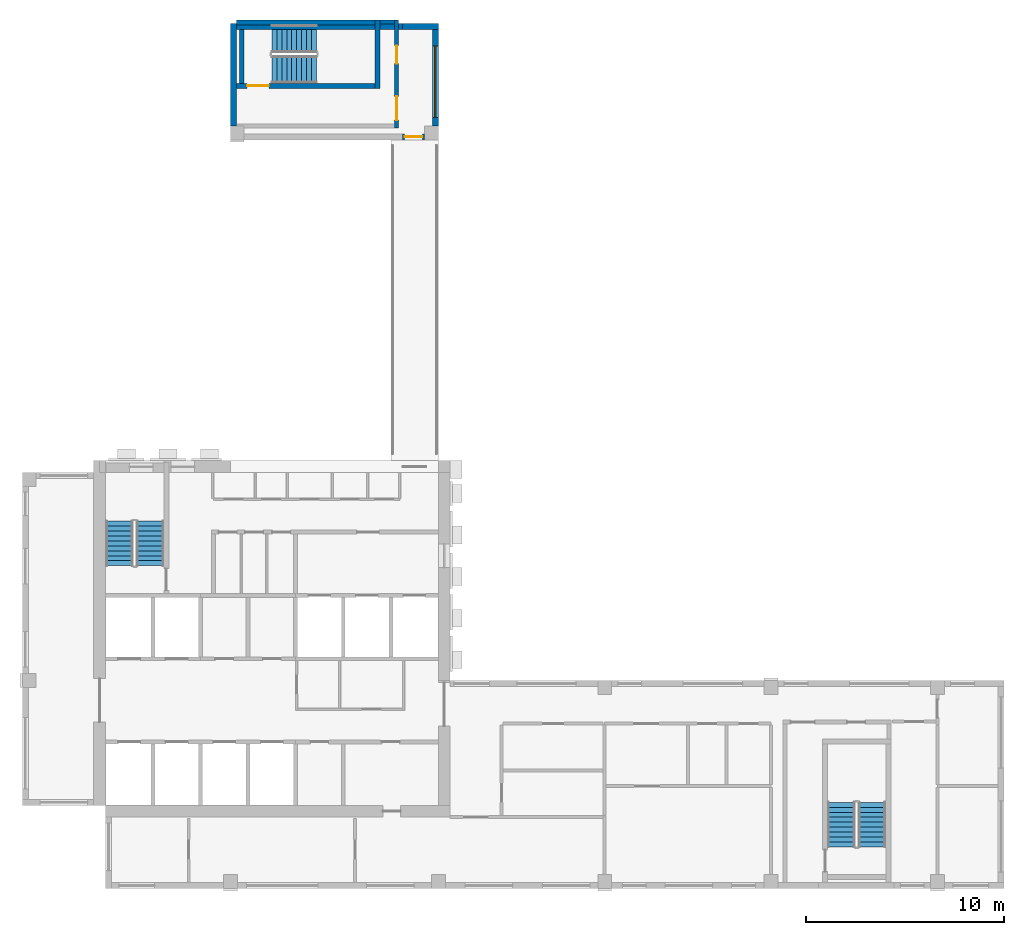
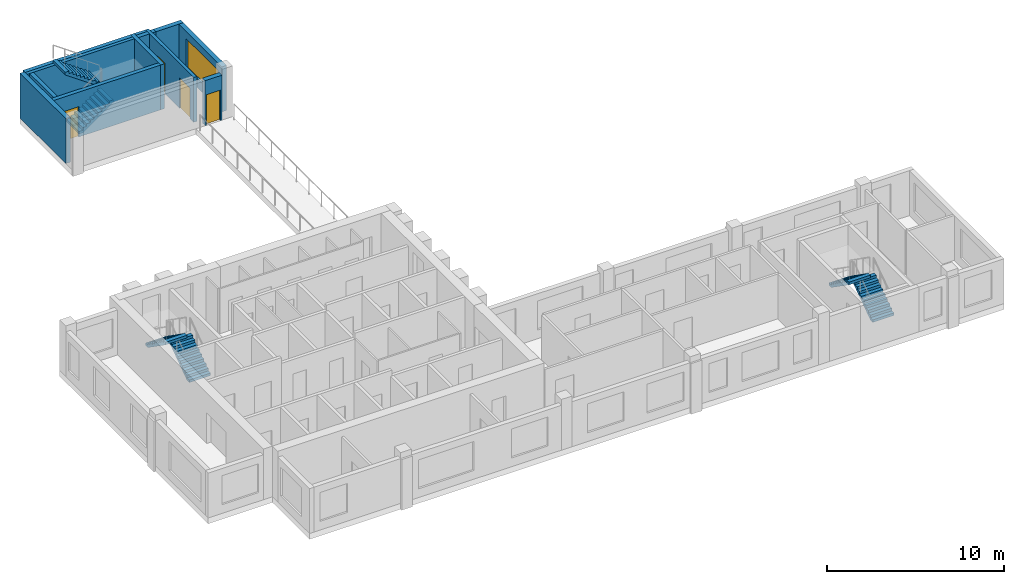
# One storey, part 5 of 9: 11 walls, 6 stair flights, 4 doors, 1 window, 5 openings, 3 elements without a shape of their own.
"""IFC4 building model written with IfcOpenShell, lengths in metres."""

from ifc_helpers import new_model, si_unit, direction, frame, frame_2d, origin, place, context, subcontext, project, spatial, polyline, rectangle, outline, extrude, source, transform, mapped, material, layer, layer_set, type_object, element, fill, aggregate, save


model = new_model("IFC4")

# Units and contexts
model_context = context("Model", 3, precision=1e-05, world=origin(), true_north=direction((0.0, 1.0)))
body_context = subcontext(model_context, "Body", "Model", "MODEL_VIEW")
ifc_project = project(units=[si_unit("LENGTHUNIT", "METRE"), si_unit("AREAUNIT", "SQUARE_METRE"), si_unit("VOLUMEUNIT", "CUBIC_METRE"), si_unit("PLANEANGLEUNIT", "RADIAN"), si_unit("MASSUNIT", "GRAM", prefix="KILO")], contexts=[model_context])

# Site, building, storey
site_placement = place(None, origin())
site = spatial("IfcSite", under=ifc_project, at=site_placement, CompositionType="ELEMENT")
building_placement = place(site_placement, origin())
building = spatial("IfcBuilding", under=site, at=building_placement, Name="Aurelian Terraces", CompositionType="ELEMENT")
storey_placement = place(building_placement, frame((0.0, 0.0, 316.0)))
storey = spatial("IfcBuildingStorey", under=building, at=storey_placement, Name="L73", CompositionType="ELEMENT", Elevation=316.0)

# Walls
ifc_material_1 = material(Name="Terracotta rainscreen cladding", Category="masonry")
ifc_layer_1 = layer(ifc_material_1, 0.3)
ifc_layer_set_1 = layer_set([ifc_layer_1], Name="EW-300")
wall_type_1 = type_object("IfcWallType", Name="EW-300", PredefinedType="STANDARD", material=ifc_layer_set_1)
shared_shape_1 = source(origin(), body_context, "Body", "SweptSolid", [
    extrude(rectangle(XDim=1.8, YDim=0.3, at=frame_2d((0.9, 0.0))), origin(), (0.0, 0.0, 1.0), 3.1),
])
wall_1_placement = place(storey_placement, frame((21.0, 43.53, 0.0), z_axis=(0.0, 0.0, 1.0), x_axis=(-1.0, 0.0, 0.0)))
element("IfcWall", 1, at=wall_1_placement, inside=storey, type_object=wall_type_1, Name="External wall L73 F17.23", PredefinedType="STANDARD", context=body_context, shape_type="MappedRepresentation", body=[
    mapped(shared_shape_1, transform((0.0, 0.0, 0.0), scale=1.0)),
])
ifc_material_2 = material(Name="Concrete fc' 40 MPa", Category="concrete")
ifc_layer_2 = layer(ifc_material_2, 0.3)
ifc_layer_set_2 = layer_set([ifc_layer_2], Name="STAIR BAY WALL 300")
wall_type_2 = type_object("IfcWallType", Name="STAIR BAY WALL 300", PredefinedType="SOLIDWALL", material=ifc_layer_set_2)
shared_shape_2 = source(origin(), body_context, "Body", "SweptSolid", [
    extrude(rectangle(XDim=8.6, YDim=0.3, at=frame_2d((4.3, 0.0))), origin(), (0.0, 0.0, 1.0), 3.1),
])
wall_2_placement = place(storey_placement, frame((19.2, 43.53, 0.0), z_axis=(0.0, 0.0, 1.0), x_axis=(-1.0, 0.0, 0.0)))
element("IfcWall", 2, at=wall_2_placement, inside=storey, type_object=wall_type_2, Name="Stair bay wall L73 F17.23", PredefinedType="SOLIDWALL", context=body_context, shape_type="MappedRepresentation", body=[
    mapped(shared_shape_2, transform((0.0, 0.0, 0.0), scale=1.0)),
])

# Wall, opening, window
shared_shape_3 = source(origin(), body_context, "Body", "SweptSolid", [
    extrude(rectangle(XDim=5.18, YDim=0.3, at=frame_2d((2.59, 0.0))), origin(), (0.0, 0.0, 1.0), 3.1),
])
wall_3_placement = place(storey_placement, frame((20.85, 38.5, 0.0), z_axis=(0.0, 0.0, 1.0), x_axis=(0.0, 1.0, 0.0)))
wall_3 = element("IfcWall", 3, at=wall_3_placement, inside=storey, type_object=wall_type_1, Name="External wall L73 F16.22", PredefinedType="STANDARD", context=body_context, shape_type="MappedRepresentation", body=[
    mapped(shared_shape_3, transform((0.0, 0.0, 0.0), scale=1.0)),
])
shared_shape_4 = source(origin(), body_context, "Body", "SweptSolid", [
    extrude(rectangle(XDim=3.6, YDim=2.0, at=frame_2d((1.8, 1.0))), frame((0.0, 0.16, 0.0), z_axis=(0.0, -1.0, 0.0), x_axis=(1.0, 0.0, 0.0)), (0.0, 0.0, 1.0), 0.32),
])
opening_1_placement = place(wall_3_placement, frame((0.44, 0.0, 0.6)))
opening_1 = element("IfcOpeningElement", 4, at=opening_1_placement, cuts=wall_3, Name="Opening W3620", PredefinedType="OPENING", context=body_context, shape_type="MappedRepresentation", body=[
    mapped(shared_shape_4, transform((0.0, 0.0, 0.0), scale=1.0)),
])
ifc_material_3 = material(Name="Clear glazing", Category="glass")
window_type = type_object("IfcWindowType", Name="W-3600x2000", PartitioningType="SINGLE_PANEL", PredefinedType="WINDOW", material=ifc_material_3)
shared_shape_5 = source(origin(), body_context, "Body", "SweptSolid", [
    extrude(rectangle(XDim=3.6, YDim=2.0, at=frame_2d((1.8, 1.0))), frame((0.0, 0.03, 0.0), z_axis=(0.0, -1.0, 0.0), x_axis=(1.0, 0.0, 0.0)), (0.0, 0.0, 1.0), 0.06),
])
window_placement = place(opening_1_placement, origin())
window = element("IfcWindow", 5, at=window_placement, inside=storey, type_object=window_type, Name="Window L73 L73-F16-22-0", OverallHeight=2.0, OverallWidth=3.6, PartitioningType="SINGLE_PANEL", PredefinedType="WINDOW", context=body_context, shape_type="MappedRepresentation", body=[
    mapped(shared_shape_5, transform((0.0, 0.0, 0.0), scale=1.0)),
])
fill(opening_1, window)

# Wall
shared_shape_6 = source(origin(), body_context, "Body", "SweptSolid", [
    extrude(rectangle(XDim=5.18, YDim=0.3, at=frame_2d((2.59, 0.0))), origin(), (0.0, 0.0, 1.0), 3.1),
])
wall_4_placement = place(storey_placement, frame((10.65, 43.68, 0.0), z_axis=(0.0, 0.0, 1.0), x_axis=(0.0, -1.0, 0.0)))
element("IfcWall", 6, at=wall_4_placement, inside=storey, type_object=wall_type_2, Name="Stair bay wall L73 F18.24", PredefinedType="SOLIDWALL", context=body_context, shape_type="MappedRepresentation", body=[
    mapped(shared_shape_6, transform((0.0, 0.0, 0.0), scale=1.0)),
])

# Wall, opening, door
shared_shape_7 = source(origin(), body_context, "Body", "SweptSolid", [
    extrude(rectangle(XDim=1.1, YDim=0.3, at=frame_2d((0.55, 0.0))), origin(), (0.0, 0.0, 1.0), 3.1),
])
wall_5_placement = place(storey_placement, frame((19.2, 37.95, 0.0), z_axis=(0.0, 0.0, 1.0), x_axis=(1.0, 0.0, 0.0)))
wall_5 = element("IfcWall", 7, at=wall_5_placement, inside=storey, type_object=wall_type_1, Name="External wall L73 F15.21", PredefinedType="STANDARD", context=body_context, shape_type="MappedRepresentation", body=[
    mapped(shared_shape_7, transform((0.0, 0.0, 0.0), scale=1.0)),
])
opening_2_placement = place(wall_5_placement, frame((0.1, 0.0, 0.0)))
opening_2 = element("IfcOpeningElement", 8, at=opening_2_placement, cuts=wall_5, Name="Opening 87301", PredefinedType="OPENING", context=body_context, shape_type="SweptSolid", body=[
    extrude(rectangle(XDim=0.9, YDim=2.1, at=frame_2d((0.45, 1.05))), frame((0.0, 0.16, 0.0), z_axis=(0.0, -1.0, 0.0), x_axis=(1.0, 0.0, 0.0)), (0.0, 0.0, 1.0), 0.32),
])
door_type_1 = type_object("IfcDoorType", Name="BD-900x2100", OperationType="SLIDING_TO_LEFT", PredefinedType="DOOR", material=ifc_material_3)
door_1_placement = place(opening_2_placement, origin())
door_1 = element("IfcDoor", 9, at=door_1_placement, inside=storey, type_object=door_type_1, Name="Link bridge door L73 BLADE-W", OperationType="SLIDING_TO_LEFT", OverallHeight=2.1, OverallWidth=0.9, PredefinedType="DOOR", context=body_context, shape_type="SweptSolid", body=[
    extrude(rectangle(XDim=0.9, YDim=2.1, at=frame_2d((0.45, 1.05))), frame((0.0, 0.025, 0.0), z_axis=(0.0, -1.0, 0.0), x_axis=(1.0, 0.0, 0.0)), (0.0, 0.0, 1.0), 0.05),
])
fill(opening_2, door_1)

ifc_layer_3 = layer(ifc_material_2, 0.25)
ifc_layer_set_3 = layer_set([ifc_layer_3], Name="Stair enclosure wall 250")
wall_type_3 = type_object("IfcWallType", Name="Stair enclosure wall 250", PredefinedType="SOLIDWALL", material=ifc_layer_set_3)
shared_shape_8 = source(origin(), body_context, "Body", "SweptSolid", [
    extrude(rectangle(XDim=7.0, YDim=0.25, at=frame_2d((3.5, 0.0))), origin(), (0.0, 0.0, 1.0), 3.1),
])
wall_6_placement = place(storey_placement, frame((10.8, 40.525, 0.0), z_axis=(0.0, 0.0, 1.0), x_axis=(1.0, 0.0, 0.0)))
wall_6 = element("IfcWall", 10, at=wall_6_placement, inside=storey, type_object=wall_type_3, Name="L73 core wall ST-S3U-W", PredefinedType="SOLIDWALL", context=body_context, shape_type="MappedRepresentation", body=[
    mapped(shared_shape_8, transform((0.0, 0.0, 0.0), scale=1.0)),
])
shared_shape_9 = source(origin(), body_context, "Body", "SweptSolid", [
    extrude(rectangle(XDim=1.1, YDim=2.1, at=frame_2d((0.55, 1.05))), frame((0.0, 0.135, 0.0), z_axis=(0.0, -1.0, 0.0), x_axis=(1.0, 0.0, 0.0)), (0.0, 0.0, 1.0), 0.27),
])
opening_3_placement = place(wall_6_placement, frame((0.55, 0.0, 0.0)))
opening_3 = element("IfcOpeningElement", 11, at=opening_3_placement, cuts=wall_6, Name="Opening 67628", PredefinedType="OPENING", context=body_context, shape_type="MappedRepresentation", body=[
    mapped(shared_shape_9, transform((0.0, 0.0, 0.0), scale=1.0)),
])
ifc_material_4 = material(Name="Steel door leaf", Category="steel")
door_type_2 = type_object("IfcDoorType", Name="Core fire door 1100x2100", OperationType="SINGLE_SWING_LEFT", PredefinedType="DOOR", material=ifc_material_4)
shared_shape_10 = source(origin(), body_context, "Body", "SweptSolid", [
    extrude(rectangle(XDim=1.1, YDim=2.1, at=frame_2d((0.55, 1.05))), frame((0.0, 0.025, 0.0), z_axis=(0.0, -1.0, 0.0), x_axis=(1.0, 0.0, 0.0)), (0.0, 0.0, 1.0), 0.05),
])
door_2_placement = place(opening_3_placement, origin())
door_2 = element("IfcDoor", 12, at=door_2_placement, inside=storey, type_object=door_type_2, Name="Stair door 67628", OperationType="SINGLE_SWING_LEFT", OverallHeight=2.1, OverallWidth=1.1, PredefinedType="DOOR", context=body_context, shape_type="MappedRepresentation", body=[
    mapped(shared_shape_10, transform((0.0, 0.0, 0.0), scale=1.0)),
])
fill(opening_3, door_2)

# Walls
wall_7_placement = place(storey_placement, frame((10.8, 43.725, 0.0), z_axis=(0.0, 0.0, 1.0), x_axis=(1.0, 0.0, 0.0)))
element("IfcWall", 13, at=wall_7_placement, inside=storey, type_object=wall_type_3, Name="L73 core wall ST-S3U-E", PredefinedType="SOLIDWALL", context=body_context, shape_type="MappedRepresentation", body=[
    mapped(shared_shape_8, transform((0.0, 0.0, 0.0), scale=1.0)),
])
shared_shape_11 = source(origin(), body_context, "Body", "SweptSolid", [
    extrude(rectangle(XDim=3.45, YDim=0.25, at=frame_2d((1.725, 0.0))), origin(), (0.0, 0.0, 1.0), 3.1),
])
wall_8_placement = place(storey_placement, frame((17.925, 40.4, 0.0), z_axis=(0.0, 0.0, 1.0), x_axis=(0.0, 1.0, 0.0)))
element("IfcWall", 14, at=wall_8_placement, inside=storey, type_object=wall_type_3, Name="L73 core wall ST-S3U-N", PredefinedType="SOLIDWALL", context=body_context, shape_type="MappedRepresentation", body=[
    mapped(shared_shape_11, transform((0.0, 0.0, 0.0), scale=1.0)),
])

# Wall, openings, doors
ifc_material_5 = material(Name="Gypsum board on steel studs", Category="steel")
ifc_layer_4 = layer(ifc_material_5, 0.2)
ifc_layer_set_4 = layer_set([ifc_layer_4], Name="Core partition 200")
wall_type_4 = type_object("IfcWallType", Name="Core partition 200", PredefinedType="PARTITIONING", material=ifc_layer_set_4)
shared_shape_12 = source(origin(), body_context, "Body", "SweptSolid", [
    extrude(rectangle(XDim=5.45, YDim=0.2, at=frame_2d((2.725, 0.0))), origin(), (0.0, 0.0, 1.0), 3.1),
])
wall_9_placement = place(storey_placement, frame((18.9, 38.4, 0.0), z_axis=(0.0, 0.0, 1.0), x_axis=(0.0, 1.0, 0.0)))
wall_9 = element("IfcWall", 15, at=wall_9_placement, inside=storey, type_object=wall_type_4, Name="L73 core wall ST-S3U-BN", PredefinedType="PARTITIONING", context=body_context, shape_type="MappedRepresentation", body=[
    mapped(shared_shape_12, transform((0.0, 0.0, 0.0), scale=1.0)),
])
shared_shape_13 = source(origin(), body_context, "Body", "SweptSolid", [
    extrude(rectangle(XDim=1.2, YDim=2.1, at=frame_2d((0.6, 1.05))), frame((0.0, 0.11, 0.0), z_axis=(0.0, -1.0, 0.0), x_axis=(1.0, 0.0, 0.0)), (0.0, 0.0, 1.0), 0.22),
])
opening_4_placement = place(wall_9_placement, frame((0.4, 0.0, 0.0)))
opening_4 = element("IfcOpeningElement", 16, at=opening_4_placement, cuts=wall_9, Name="Opening 67629", PredefinedType="OPENING", context=body_context, shape_type="MappedRepresentation", body=[
    mapped(shared_shape_13, transform((0.0, 0.0, 0.0), scale=1.0)),
])
shared_shape_14 = source(origin(), body_context, "Body", "SweptSolid", [
    extrude(rectangle(XDim=0.9, YDim=2.1, at=frame_2d((0.45, 1.05))), frame((0.0, 0.11, 0.0), z_axis=(0.0, -1.0, 0.0), x_axis=(1.0, 0.0, 0.0)), (0.0, 0.0, 1.0), 0.22),
])
opening_5_placement = place(wall_9_placement, frame((3.25, 0.0, 0.0)))
opening_5 = element("IfcOpeningElement", 17, at=opening_5_placement, cuts=wall_9, Name="Opening 67630", PredefinedType="OPENING", context=body_context, shape_type="MappedRepresentation", body=[
    mapped(shared_shape_14, transform((0.0, 0.0, 0.0), scale=1.0)),
])
door_type_3 = type_object("IfcDoorType", Name="Core riser door 900x2100", OperationType="SINGLE_SWING_LEFT", PredefinedType="DOOR", material=ifc_material_4)
shared_shape_15 = source(origin(), body_context, "Body", "SweptSolid", [
    extrude(rectangle(XDim=0.9, YDim=2.1, at=frame_2d((0.45, 1.05))), frame((0.0, 0.025, 0.0), z_axis=(0.0, -1.0, 0.0), x_axis=(1.0, 0.0, 0.0)), (0.0, 0.0, 1.0), 0.05),
])
door_3_placement = place(opening_5_placement, origin())
door_3 = element("IfcDoor", 18, at=door_3_placement, inside=storey, type_object=door_type_3, Name="Riser door 67630", OperationType="SINGLE_SWING_LEFT", OverallHeight=2.1, OverallWidth=0.9, PredefinedType="DOOR", context=body_context, shape_type="MappedRepresentation", body=[
    mapped(shared_shape_15, transform((0.0, 0.0, 0.0), scale=1.0)),
])
fill(opening_5, door_3)
door_type_4 = type_object("IfcDoorType", Name="Core fire door 1200x2100 right", OperationType="SINGLE_SWING_RIGHT", PredefinedType="DOOR", material=ifc_material_4)
shared_shape_16 = source(origin(), body_context, "Body", "SweptSolid", [
    extrude(rectangle(XDim=1.2, YDim=2.1, at=frame_2d((0.6, 1.05))), frame((0.0, 0.025, 0.0), z_axis=(0.0, -1.0, 0.0), x_axis=(1.0, 0.0, 0.0)), (0.0, 0.0, 1.0), 0.05),
])
door_4_placement = place(opening_4_placement, origin())
door_4 = element("IfcDoor", 19, at=door_4_placement, inside=storey, type_object=door_type_4, Name="Vestibule door 67629", OperationType="SINGLE_SWING_RIGHT", OverallHeight=2.1, OverallWidth=1.2, PredefinedType="DOOR", context=body_context, shape_type="MappedRepresentation", body=[
    mapped(shared_shape_16, transform((0.0, 0.0, 0.0), scale=1.0)),
])
fill(opening_4, door_4)

# Walls
shared_shape_17 = source(origin(), body_context, "Body", "SweptSolid", [
    extrude(rectangle(XDim=0.75, YDim=0.2, at=frame_2d((0.375, 0.0))), origin(), (0.0, 0.0, 1.0), 3.1),
])
wall_10_placement = place(storey_placement, frame((18.05, 43.75, 0.0), z_axis=(0.0, 0.0, 1.0), x_axis=(1.0, 0.0, 0.0)))
element("IfcWall", 20, at=wall_10_placement, inside=storey, type_object=wall_type_4, Name="L73 core wall ST-S3U-RE", PredefinedType="PARTITIONING", context=body_context, shape_type="MappedRepresentation", body=[
    mapped(shared_shape_17, transform((0.0, 0.0, 0.0), scale=1.0)),
])
shared_shape_18 = source(origin(), body_context, "Body", "SweptSolid", [
    extrude(rectangle(XDim=2.73, YDim=0.25, at=frame_2d((1.365, 0.0))), origin(), (0.0, 0.0, 1.0), 3.1),
])
wall_11_placement = place(storey_placement, frame((11.075, 40.65, 0.0), z_axis=(0.0, 0.0, 1.0), x_axis=(0.0, 1.0, 0.0)))
element("IfcWall", 21, at=wall_11_placement, inside=storey, type_object=wall_type_3, Name="L73 core wall ST-S3U-SS", PredefinedType="SOLIDWALL", context=body_context, shape_type="MappedRepresentation", body=[
    mapped(shared_shape_18, transform((0.0, 0.0, 0.0), scale=1.0)),
])

# Stair, stair flights
stair_type = type_object("IfcStairType", Name="Stair 1400", PredefinedType="HALF_TURN_STAIR", material=ifc_material_2)
stair_1_placement = place(storey_placement, origin())
stair_1 = element("IfcStair", 22, at=stair_1_placement, inside=storey, type_object=stair_type, Name="L73 S1", PredefinedType="HALF_TURN_STAIR")
stair_flight_type = type_object("IfcStairFlightType", Name="Stair flight 1400", PredefinedType="STRAIGHT", material=ifc_material_2)
shared_shape_19 = source(origin(), body_context, "Body", "SweptSolid", [
    extrude(outline(polyline([(0.0, 0.0), (0.0, 0.175), (0.25, 0.175), (0.25, 0.35), (0.5, 0.35), (0.5, 0.525), (0.75, 0.525), (0.75, 0.7), (1.0, 0.7), (1.0, 0.875), (1.25, 0.875), (1.25, 1.05), (1.5, 1.05), (1.5, 1.225), (1.75, 1.225), (1.75, 1.4), (2.0, 1.4), (2.0, 1.575), (2.25, 1.575), (2.25, 1.75), (2.25, 1.3919), (0.2616, 0.0), (0.0, 0.0)])), frame((0.0, 0.7, 0.0), z_axis=(0.0, -1.0, 0.0), x_axis=(1.0, 0.0, 0.0)), (0.0, 0.0, 1.0), 1.4),
])
stair_flight_1_placement = place(storey_placement, frame((6.45, 16.3, 2e-08), z_axis=(0.0, 0.0, 1.0), x_axis=(0.0, 1.0, 0.0)))
stair_flight_1 = element("IfcStairFlight", 23, at=stair_flight_1_placement, type_object=stair_flight_type, Name="S1 flight 1", NumberOfRisers=10, NumberOfTreads=9, PredefinedType="STRAIGHT", RiserHeight=0.175, TreadLength=0.25, context=body_context, shape_type="MappedRepresentation", body=[
    mapped(shared_shape_19, transform((0.0, 0.0, 0.0), scale=1.0)),
])
stair_flight_2_placement = place(storey_placement, frame((4.9, 18.55, 1.75000002), z_axis=(0.0, 0.0, 1.0), x_axis=(0.0, -1.0, 0.0)))
stair_flight_2 = element("IfcStairFlight", 24, at=stair_flight_2_placement, type_object=stair_flight_type, Name="S1 flight 2", NumberOfRisers=10, NumberOfTreads=9, PredefinedType="STRAIGHT", RiserHeight=0.175, TreadLength=0.25, context=body_context, shape_type="MappedRepresentation", body=[
    mapped(shared_shape_19, transform((0.0, 0.0, 0.0), scale=1.0)),
])
aggregate(stair_1, [stair_flight_1, stair_flight_2])

stair_2_placement = place(storey_placement, origin())
stair_2 = element("IfcStair", 25, at=stair_2_placement, inside=storey, type_object=stair_type, Name="L73 S2", PredefinedType="HALF_TURN_STAIR")
stair_flight_3_placement = place(storey_placement, frame((42.9, 2.1, 2e-08), z_axis=(0.0, 0.0, 1.0), x_axis=(0.0, 1.0, 0.0)))
stair_flight_3 = element("IfcStairFlight", 26, at=stair_flight_3_placement, type_object=stair_flight_type, Name="S2 flight 1", NumberOfRisers=10, NumberOfTreads=9, PredefinedType="STRAIGHT", RiserHeight=0.175, TreadLength=0.25, context=body_context, shape_type="MappedRepresentation", body=[
    mapped(shared_shape_19, transform((0.0, 0.0, 0.0), scale=1.0)),
])
stair_flight_4_placement = place(storey_placement, frame((41.35, 4.35, 1.75000002), z_axis=(0.0, 0.0, 1.0), x_axis=(0.0, -1.0, 0.0)))
stair_flight_4 = element("IfcStairFlight", 27, at=stair_flight_4_placement, type_object=stair_flight_type, Name="S2 flight 2", NumberOfRisers=10, NumberOfTreads=9, PredefinedType="STRAIGHT", RiserHeight=0.175, TreadLength=0.25, context=body_context, shape_type="MappedRepresentation", body=[
    mapped(shared_shape_19, transform((0.0, 0.0, 0.0), scale=1.0)),
])
aggregate(stair_2, [stair_flight_3, stair_flight_4])

stair_3_placement = place(storey_placement, origin())
stair_3 = element("IfcStair", 28, at=stair_3_placement, inside=storey, type_object=stair_type, Name="L73 S3U", PredefinedType="HALF_TURN_STAIR")
stair_flight_5_placement = place(storey_placement, frame((12.6, 41.35, 2e-08), z_axis=(0.0, 0.0, 1.0), x_axis=(1.0, 0.0, 0.0)))
stair_flight_5 = element("IfcStairFlight", 29, at=stair_flight_5_placement, type_object=stair_flight_type, Name="S3U flight 1", NumberOfRisers=10, NumberOfTreads=9, PredefinedType="STRAIGHT", RiserHeight=0.175, TreadLength=0.25, context=body_context, shape_type="MappedRepresentation", body=[
    mapped(shared_shape_19, transform((0.0, 0.0, 0.0), scale=1.0)),
])
stair_flight_6_placement = place(storey_placement, frame((14.85, 42.9, 1.75000002), z_axis=(0.0, 0.0, 1.0), x_axis=(-1.0, 0.0, 0.0)))
stair_flight_6 = element("IfcStairFlight", 30, at=stair_flight_6_placement, type_object=stair_flight_type, Name="S3U flight 2", NumberOfRisers=10, NumberOfTreads=9, PredefinedType="STRAIGHT", RiserHeight=0.175, TreadLength=0.25, context=body_context, shape_type="MappedRepresentation", body=[
    mapped(shared_shape_19, transform((0.0, 0.0, 0.0), scale=1.0)),
])
aggregate(stair_3, [stair_flight_5, stair_flight_6])

save(model, "model.ifc")
